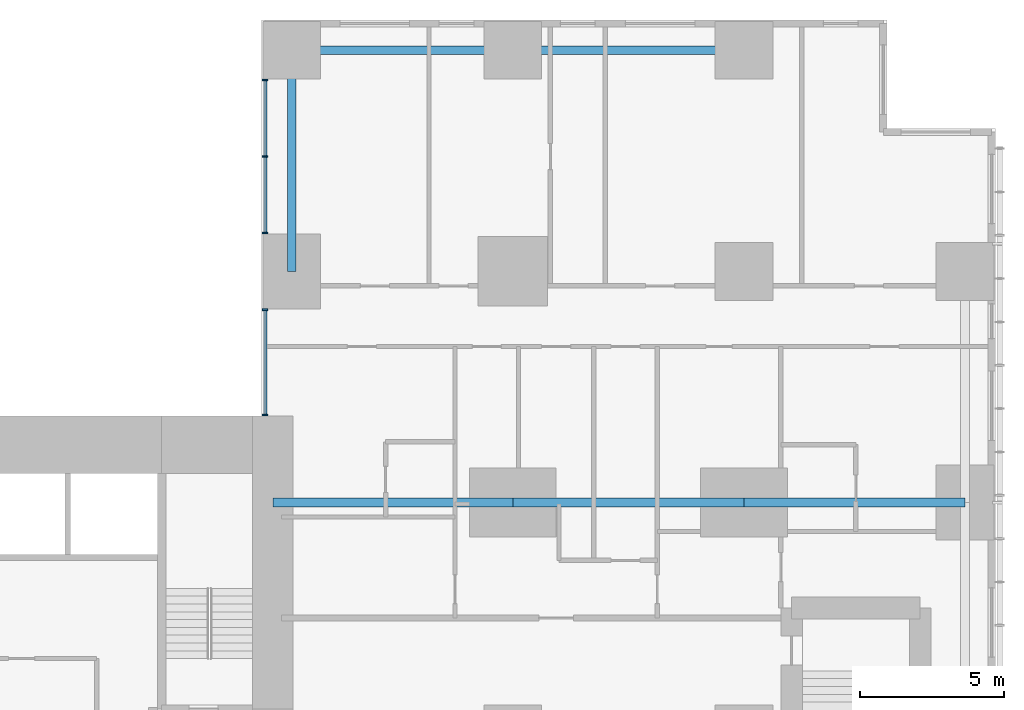
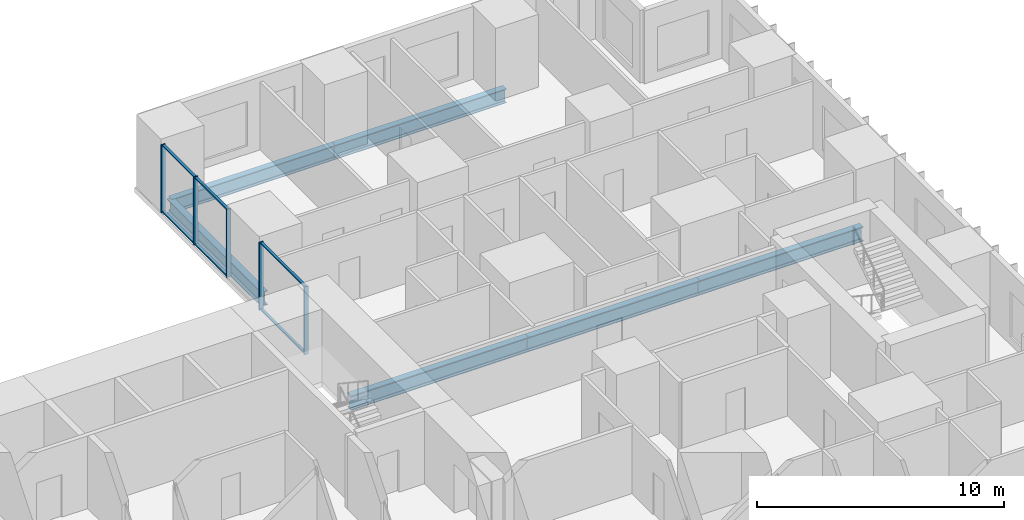
# One storey, part 5 of 20: 11 members, 6 beams, 2 elements without a shape of their own.
"""IFC4 building model written with IfcOpenShell, lengths in metres."""

from ifc_helpers import new_model, si_unit, direction, frame, origin, origin_2d, place, context, subcontext, project, spatial, rectangle, i_section, extrude, material, layer, layer_set, material_profile, profile_set, type_object, element, aggregate, save


model = new_model("IFC4")

# Units and contexts
model_context = context("Model", 3, precision=1e-05, world=origin(), true_north=direction((0.0, 1.0)))
body_context = subcontext(model_context, "Body", "Model", "MODEL_VIEW")
ifc_project = project(units=[si_unit("LENGTHUNIT", "METRE"), si_unit("AREAUNIT", "SQUARE_METRE"), si_unit("VOLUMEUNIT", "CUBIC_METRE"), si_unit("PLANEANGLEUNIT", "RADIAN"), si_unit("MASSUNIT", "GRAM", prefix="KILO")], contexts=[model_context])

# Site, building, storey
site_placement = place(None, origin())
site = spatial("IfcSite", under=ifc_project, at=site_placement, CompositionType="ELEMENT")
building_placement = place(site_placement, origin())
building = spatial("IfcBuilding", under=site, at=building_placement, Name="Cleftline Residences", CompositionType="ELEMENT")
storey_placement = place(building_placement, frame((0.0, 0.0, 99.800048828125)))
storey = spatial("IfcBuildingStorey", under=building, at=storey_placement, Name="L25", CompositionType="ELEMENT", Elevation=99.800048828125)

# Beams
ifc_material_1 = material(Name="Steel S355", Category="steel")
ifc_material_profile_1 = material_profile(ifc_material_1, i_section(OverallWidth=0.300048828125, OverallDepth=0.699951171875, WebThickness=0.01708984375, FlangeThickness=0.031982421875, FilletRadius=0.027099609375, at=origin_2d()))
ifc_profile_set_1 = profile_set([ifc_material_profile_1], Name="Steel S355")
beam_type_1 = type_object("IfcBeamType", Name="BEAM HEB 700", PredefinedType="BEAM", material=ifc_profile_set_1)
beam_1_placement = place(storey_placement, frame((58.0, 47.64990234375, -0.60009765625), z_axis=(-1.0, 0.0, 0.0), x_axis=(0.0, -1.0, 0.0)))
element("IfcBeam", 1, at=beam_1_placement, inside=storey, type_object=beam_type_1, Name="Edge beam", PredefinedType="BEAM", context=body_context, shape_type="SweptSolid", body=[
    extrude(i_section(OverallWidth=0.300048828125, OverallDepth=0.699951171875, WebThickness=0.01708984375, FlangeThickness=0.031982421875, FilletRadius=0.027099609375, at=origin_2d()), origin(), (0.0, 0.0, 1.0), 8.0),
])
for number, where, z_axis, x_axis, name in (
    (2, (50.0, 47.64990234375, -0.60009765625), (-1.0, 0.0, 0.0), (0.0, -1.0, 0.0), "Edge beam"),
    (3, (42.35009765625, 47.64990234375, -0.60009765625), (0.0, -1.0, 0.0), (1.0, 0.0, 0.0), "Edge beam"),
):
    element("IfcBeam", number, at=place(storey_placement, frame(where, z_axis=z_axis, x_axis=x_axis)), inside=storey, type_object=beam_type_1, Name=name, PredefinedType="BEAM", context=body_context, shape_type="SweptSolid", body=[
        extrude(i_section(OverallWidth=0.300048828125, OverallDepth=0.699951171875, WebThickness=0.01708984375, FlangeThickness=0.031982421875, FilletRadius=0.027099609375, at=origin_2d()), origin(), (0.0, 0.0, 1.0), 7.64990234375),
    ])
ifc_material_2 = material(Name="Steel S355", Category="steel")
ifc_material_profile_2 = material_profile(ifc_material_2, i_section(OverallWidth=0.303955078125, OverallDepth=0.716064453125, WebThickness=0.02099609375, FlangeThickness=0.0400390625, FilletRadius=0.027099609375, at=origin_2d()))
ifc_profile_set_2 = profile_set([ifc_material_profile_2], Name="Steel S355")
beam_type_2 = type_object("IfcBeamType", Name="BEAM HEM 700", PredefinedType="BEAM", material=ifc_profile_set_2)
beam_2_placement = place(storey_placement, frame((65.64990234375, 32.0, -0.608154296875), z_axis=(-1.0, 0.0, 0.0), x_axis=(0.0, -1.0, 0.0)))
element("IfcBeam", 4, at=beam_2_placement, inside=storey, type_object=beam_type_2, Name="Band beam", PredefinedType="BEAM", context=body_context, shape_type="SweptSolid", body=[
    extrude(i_section(OverallWidth=0.303955078125, OverallDepth=0.716064453125, WebThickness=0.02099609375, FlangeThickness=0.0400390625, FilletRadius=0.027099609375, at=origin_2d()), origin(), (0.0, 0.0, 1.0), 7.64990234375),
])
beam_3_placement = place(storey_placement, frame((58.0, 32.0, -0.608154296875), z_axis=(-1.0, 0.0, 0.0), x_axis=(0.0, -1.0, 0.0)))
element("IfcBeam", 5, at=beam_3_placement, inside=storey, type_object=beam_type_2, Name="Band beam", PredefinedType="BEAM", context=body_context, shape_type="SweptSolid", body=[
    extrude(i_section(OverallWidth=0.303955078125, OverallDepth=0.716064453125, WebThickness=0.02099609375, FlangeThickness=0.0400390625, FilletRadius=0.027099609375, at=origin_2d()), origin(), (0.0, 0.0, 1.0), 8.0),
])
beam_4_placement = place(storey_placement, frame((50.0, 32.0, -0.608154296875), z_axis=(-1.0, 0.0, 0.0), x_axis=(0.0, -1.0, 0.0)))
element("IfcBeam", 6, at=beam_4_placement, inside=storey, type_object=beam_type_2, Name="Band beam", PredefinedType="BEAM", context=body_context, shape_type="SweptSolid", body=[
    extrude(i_section(OverallWidth=0.303955078125, OverallDepth=0.716064453125, WebThickness=0.02099609375, FlangeThickness=0.0400390625, FilletRadius=0.027099609375, at=origin_2d()), origin(), (0.0, 0.0, 1.0), 8.300048828125),
])

# Curtain wall, members
ifc_material_3 = material(Name="Aluminium framed curtain wall", Category="aluminium")
ifc_layer = layer(ifc_material_3, 0.199951171875)
ifc_layer_set = layer_set([ifc_layer], Name="CW1 CLEFT GLAZING")
curtain_wall_type = type_object("IfcCurtainWallType", Name="CW1 CLEFT GLAZING", PredefinedType="NOTDEFINED", material=ifc_layer_set)
curtain_wall_1_placement = place(storey_placement, origin())
curtain_wall_1 = element("IfcCurtainWall", 7, at=curtain_wall_1_placement, inside=storey, type_object=curtain_wall_type, Name="Curtain wall CW1", PredefinedType="NOTDEFINED")
ifc_material_4 = material(Name="Aluminium mullion", Category="aluminium")
ifc_material_profile_3 = material_profile(ifc_material_4, rectangle(XDim=0.199951171875, YDim=0.06005859375, at=origin_2d()))
ifc_profile_set_3 = profile_set([ifc_material_profile_3], Name="Aluminium mullion")
member_type_1 = type_object("IfcMemberType", Name="CW1 MULLION", PredefinedType="MULLION", material=ifc_profile_set_3)
member_1_placement = place(storey_placement, frame((41.425048828125, 46.6201171875, 0.0), z_axis=(0.0, 0.0, 1.0), x_axis=(1.0, 0.0, 0.0)))
member_1 = element("IfcMember", 8, at=member_1_placement, type_object=member_type_1, Name="CW1 mullion 1", PredefinedType="MULLION", context=body_context, shape_type="SweptSolid", body=[
    extrude(rectangle(XDim=0.199951171875, YDim=0.06005859375, at=origin_2d()), origin(), (0.0, 0.0, 1.0), 3.349853515625),
])
member_2_placement = place(storey_placement, frame((41.425048828125, 43.97509765625, 0.0), z_axis=(0.0, 0.0, 1.0), x_axis=(1.0, 0.0, 0.0)))
member_2 = element("IfcMember", 9, at=member_2_placement, type_object=member_type_1, Name="CW1 mullion 2", PredefinedType="MULLION", context=body_context, shape_type="SweptSolid", body=[
    extrude(rectangle(XDim=0.199951171875, YDim=0.06005859375, at=origin_2d()), origin(), (0.0, 0.0, 1.0), 3.349853515625),
])
member_3_placement = place(storey_placement, frame((41.425048828125, 41.330078125, 0.0), z_axis=(0.0, 0.0, 1.0), x_axis=(1.0, 0.0, 0.0)))
member_3 = element("IfcMember", 10, at=member_3_placement, type_object=member_type_1, Name="CW1 mullion 3", PredefinedType="MULLION", context=body_context, shape_type="SweptSolid", body=[
    extrude(rectangle(XDim=0.199951171875, YDim=0.06005859375, at=origin_2d()), origin(), (0.0, 0.0, 1.0), 3.349853515625),
])

curtain_wall_2_placement = place(storey_placement, origin())
curtain_wall_2 = element("IfcCurtainWall", 11, at=curtain_wall_2_placement, inside=storey, type_object=curtain_wall_type, Name="Curtain wall CW1", PredefinedType="NOTDEFINED")
member_4_placement = place(storey_placement, frame((41.425048828125, 38.669921875, 0.0), z_axis=(0.0, 0.0, 1.0), x_axis=(1.0, 0.0, 0.0)))
member_4 = element("IfcMember", 12, at=member_4_placement, type_object=member_type_1, Name="CW1 mullion 1", PredefinedType="MULLION", context=body_context, shape_type="SweptSolid", body=[
    extrude(rectangle(XDim=0.199951171875, YDim=0.06005859375, at=origin_2d()), origin(), (0.0, 0.0, 1.0), 3.349853515625),
])
member_5_placement = place(storey_placement, frame((41.425048828125, 35.030029296875, 0.0), z_axis=(0.0, 0.0, 1.0), x_axis=(1.0, 0.0, 0.0)))
member_5 = element("IfcMember", 13, at=member_5_placement, type_object=member_type_1, Name="CW1 mullion 2", PredefinedType="MULLION", context=body_context, shape_type="SweptSolid", body=[
    extrude(rectangle(XDim=0.199951171875, YDim=0.06005859375, at=origin_2d()), origin(), (0.0, 0.0, 1.0), 3.349853515625),
])

# Member
ifc_material_5 = material(Name="Aluminium transom", Category="aluminium")
ifc_material_profile_4 = material_profile(ifc_material_5, rectangle(XDim=0.1201171875, YDim=0.06005859375, at=origin_2d()))
ifc_profile_set_4 = profile_set([ifc_material_profile_4], Name="Aluminium transom")
member_type_2 = type_object("IfcMemberType", Name="CW1 TRANSOM", PredefinedType="USERDEFINED", material=ifc_profile_set_4)
member_6_placement = place(storey_placement, frame((41.425048828125, 46.590087890625, 0.030029296875), z_axis=(0.0, -1.0, 0.0), x_axis=(1.0, 0.0, 0.0)))
member_6 = element("IfcMember", 14, at=member_6_placement, type_object=member_type_2, Name="CW1 transom 1.1", ObjectType="TRANSOM", PredefinedType="USERDEFINED", context=body_context, shape_type="SweptSolid", body=[
    extrude(rectangle(XDim=0.1201171875, YDim=0.06005859375, at=origin_2d()), origin(), (0.0, 0.0, 1.0), 2.585205078125),
])

member_7_placement = place(storey_placement, frame((41.425048828125, 46.590087890625, 3.320068359375), z_axis=(0.0, -1.0, 0.0), x_axis=(1.0, 0.0, 0.0)))
member_7 = element("IfcMember", 15, at=member_7_placement, type_object=member_type_2, Name="CW1 transom 1.2", ObjectType="TRANSOM", PredefinedType="USERDEFINED", context=body_context, shape_type="SweptSolid", body=[
    extrude(rectangle(XDim=0.1201171875, YDim=0.06005859375, at=origin_2d()), origin(), (0.0, 0.0, 1.0), 2.585205078125),
])

member_8_placement = place(storey_placement, frame((41.425048828125, 43.945068359375, 0.030029296875), z_axis=(0.0, -1.0, 0.0), x_axis=(1.0, 0.0, 0.0)))
member_8 = element("IfcMember", 16, at=member_8_placement, type_object=member_type_2, Name="CW1 transom 2.1", ObjectType="TRANSOM", PredefinedType="USERDEFINED", context=body_context, shape_type="SweptSolid", body=[
    extrude(rectangle(XDim=0.1201171875, YDim=0.06005859375, at=origin_2d()), origin(), (0.0, 0.0, 1.0), 2.5849609375),
])

member_9_placement = place(storey_placement, frame((41.425048828125, 43.945068359375, 3.320068359375), z_axis=(0.0, -1.0, 0.0), x_axis=(1.0, 0.0, 0.0)))
member_9 = element("IfcMember", 17, at=member_9_placement, type_object=member_type_2, Name="CW1 transom 2.2", ObjectType="TRANSOM", PredefinedType="USERDEFINED", context=body_context, shape_type="SweptSolid", body=[
    extrude(rectangle(XDim=0.1201171875, YDim=0.06005859375, at=origin_2d()), origin(), (0.0, 0.0, 1.0), 2.5849609375),
])

aggregate(curtain_wall_1, [member_1, member_2, member_3, member_6, member_7, member_8, member_9])

member_10_placement = place(storey_placement, frame((41.425048828125, 38.639892578125, 0.030029296875), z_axis=(0.0, -1.0, 0.0), x_axis=(1.0, 0.0, 0.0)))
member_10 = element("IfcMember", 18, at=member_10_placement, type_object=member_type_2, Name="CW1 transom 1.1", ObjectType="TRANSOM", PredefinedType="USERDEFINED", context=body_context, shape_type="SweptSolid", body=[
    extrude(rectangle(XDim=0.1201171875, YDim=0.06005859375, at=origin_2d()), origin(), (0.0, 0.0, 1.0), 3.579833984375),
])

member_11_placement = place(storey_placement, frame((41.425048828125, 38.639892578125, 3.320068359375), z_axis=(0.0, -1.0, 0.0), x_axis=(1.0, 0.0, 0.0)))
member_11 = element("IfcMember", 19, at=member_11_placement, type_object=member_type_2, Name="CW1 transom 1.2", ObjectType="TRANSOM", PredefinedType="USERDEFINED", context=body_context, shape_type="SweptSolid", body=[
    extrude(rectangle(XDim=0.1201171875, YDim=0.06005859375, at=origin_2d()), origin(), (0.0, 0.0, 1.0), 3.579833984375),
])

aggregate(curtain_wall_2, [member_4, member_5, member_10, member_11])

save(model, "model.ifc")
